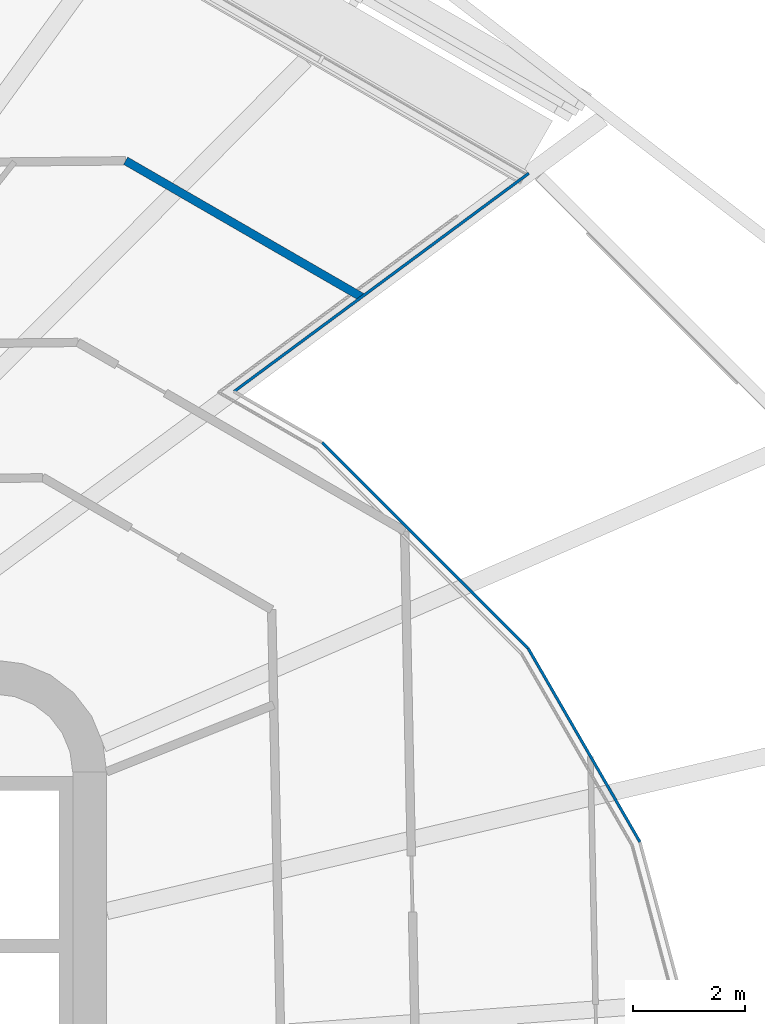
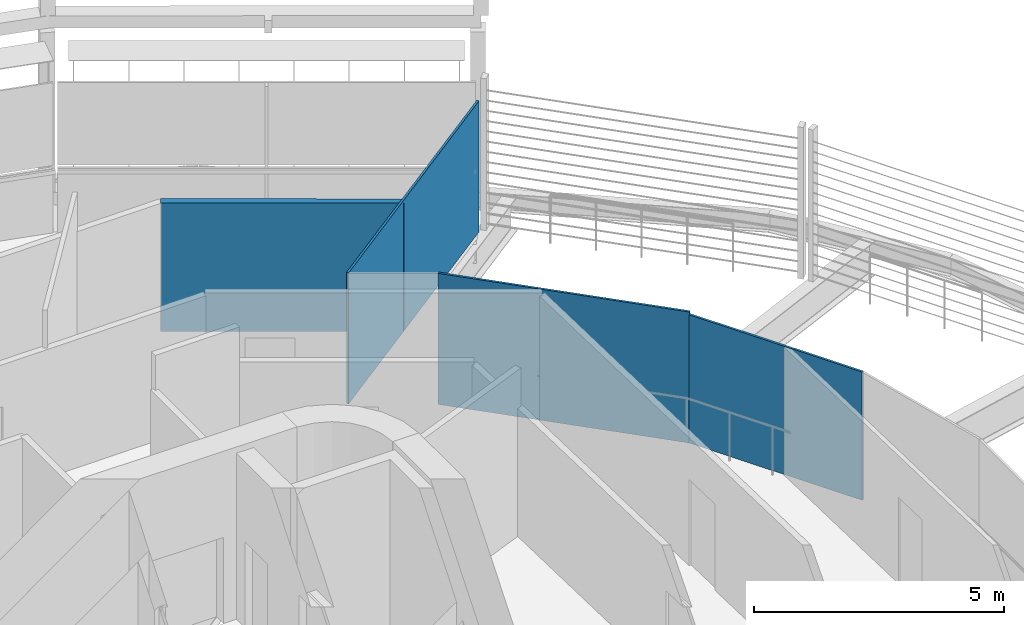
# One storey, part 19 of 28: 4 walls.
"""IFC4 building model written with IfcOpenShell, lengths in metres."""

from ifc_helpers import new_model, si_unit, direction, frame, frame_2d, origin, place, context, subcontext, project, spatial, rectangle, extrude, material, layer, layer_set, type_object, element, save


model = new_model("IFC4")

# Units and contexts
model_context = context("Model", 3, precision=1e-05, world=origin(), true_north=direction((0.0, 1.0)))
body_context = subcontext(model_context, "Body", "Model", "MODEL_VIEW")
ifc_project = project(units=[si_unit("LENGTHUNIT", "METRE"), si_unit("AREAUNIT", "SQUARE_METRE"), si_unit("VOLUMEUNIT", "CUBIC_METRE"), si_unit("PLANEANGLEUNIT", "RADIAN"), si_unit("MASSUNIT", "GRAM", prefix="KILO")], contexts=[model_context])

# Site, building, storey
site_placement = place(None, origin())
site = spatial("IfcSite", under=ifc_project, at=site_placement, CompositionType="ELEMENT")
building_placement = place(site_placement, origin())
building = spatial("IfcBuilding", under=site, at=building_placement, Name="Sahrelin Media Tower", CompositionType="ELEMENT")
storey_placement = place(building_placement, frame((0.0, 0.0, 75.60009765625)))
storey = spatial("IfcBuildingStorey", under=building, at=storey_placement, Name="L13", CompositionType="ELEMENT", Elevation=75.60009765625)

# Walls
ifc_material_1 = material(Name="Fire-rated gypsum board partition")
ifc_layer_1 = layer(ifc_material_1, 0.14990234375)
ifc_layer_set_1 = layer_set([ifc_layer_1], Name="Fire-rated partition 150")
wall_type_1 = type_object("IfcWallType", Name="Fire-rated partition 150", PredefinedType="PARTITIONING", material=ifc_layer_set_1)
wall_1_placement = place(storey_placement, frame((15.339111328125, 16.904052734375, 0.0), z_axis=(0.0, 0.0, 1.0), x_axis=(0.865946300372, -0.500136986107, 0.0)))
element("IfcWall", 1, at=wall_1_placement, inside=storey, type_object=wall_type_1, Name="Wall", PredefinedType="PARTITIONING", context=body_context, shape_type="SweptSolid", body=[
    extrude(rectangle(XDim=4.860107421875, YDim=0.14990234375, at=frame_2d((2.43017578125, 0.0))), origin(), (0.0, 0.0, 1.0), 3.126953125),
])
ifc_material_2 = material(Name="Clear glass", Category="glass")
ifc_layer_2 = layer(ifc_material_2, 0.050048828125)
ifc_layer_set_2 = layer_set([ifc_layer_2], Name="Glazed partition 50")
wall_type_2 = type_object("IfcWallType", Name="Glazed partition 50", PredefinedType="PARTITIONING", material=ifc_layer_set_2)
wall_2_placement = place(storey_placement, frame((22.51708984375, 8.208984375, 0.0), z_axis=(0.0, 0.0, 1.0), x_axis=(0.499987164874, -0.866032814021, 0.0)))
element("IfcWall", 2, at=wall_2_placement, inside=storey, type_object=wall_type_2, Name="Wall", PredefinedType="PARTITIONING", context=body_context, shape_type="SweptSolid", body=[
    extrude(rectangle(XDim=3.99169921875, YDim=0.050048828125, at=frame_2d((1.995849609375, 0.0))), origin(), (0.0, 0.0, 1.0), 3.126953125),
])
wall_3_placement = place(storey_placement, frame((18.845947265625, 11.8798828125, 0.0), z_axis=(0.0, 0.0, 1.0), x_axis=(0.707130293807, -0.707083267785, 0.0)))
element("IfcWall", 3, at=wall_3_placement, inside=storey, type_object=wall_type_2, Name="Wall", PredefinedType="PARTITIONING", context=body_context, shape_type="SweptSolid", body=[
    extrude(rectangle(XDim=5.191650390625, YDim=0.050048828125, at=frame_2d((2.595703125, 0.0))), origin(), (0.0, 0.0, 1.0), 3.195068359375),
])
wall_4_placement = place(storey_placement, frame((17.27294921875, 12.7890625, 0.0), z_axis=(0.0, 0.0, 1.0), x_axis=(0.803675532146, 0.595067760032, 0.0)))
element("IfcWall", 4, at=wall_4_placement, inside=storey, type_object=wall_type_2, Name="Wall", PredefinedType="PARTITIONING", context=body_context, shape_type="SweptSolid", body=[
    extrude(rectangle(XDim=6.541015625, YDim=0.050048828125, at=frame_2d((3.2705078125, 0.0))), origin(), (0.0, 0.0, 1.0), 3.195068359375),
])

save(model, "model.ifc")
